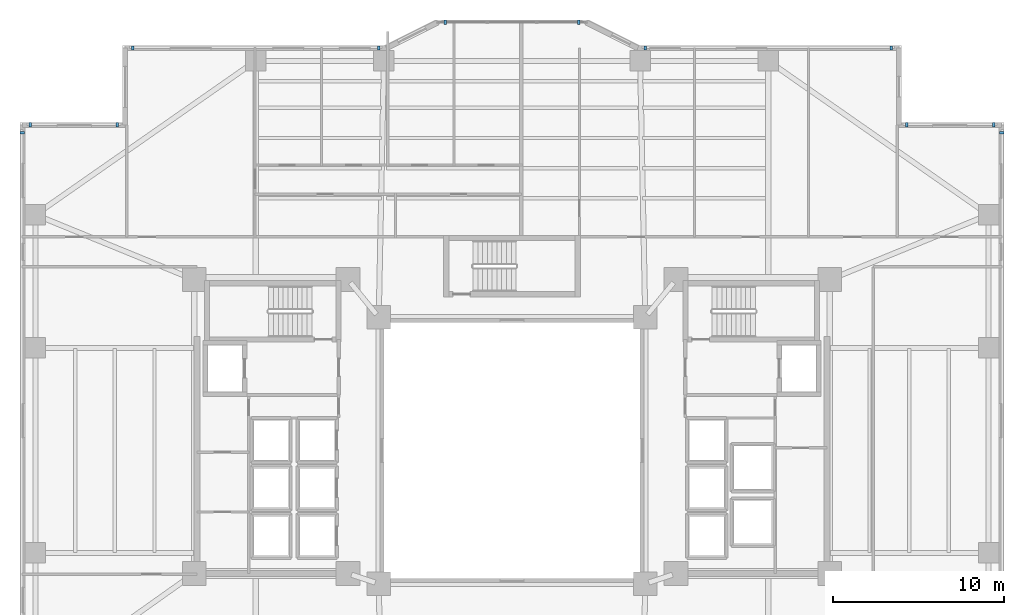
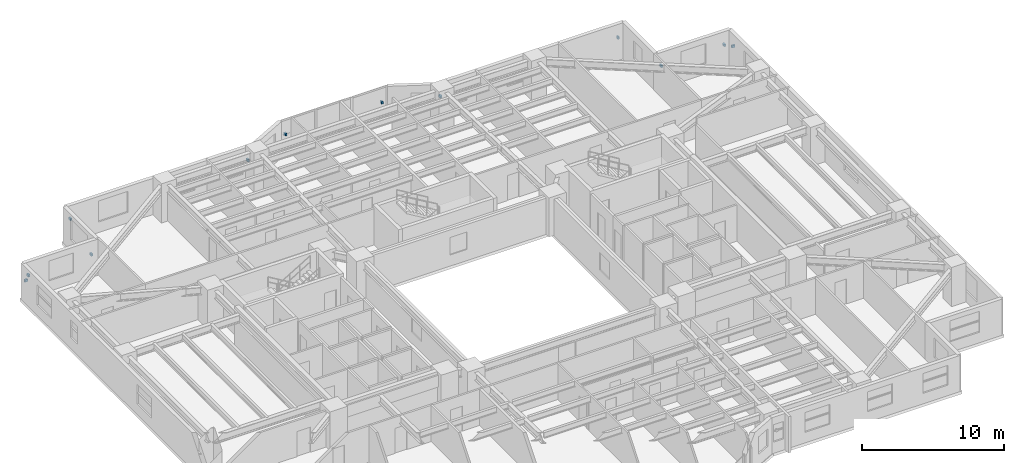
# One storey, part 16 of 19: 12 discrete accessories.
"""IFC4 building model written with IfcOpenShell, lengths in metres."""

from ifc_helpers import new_model, si_unit, direction, frame, origin, origin_2d, place, context, subcontext, project, spatial, rectangle, extrude, material, type_object, element, save


model = new_model("IFC4")

# Units and contexts
model_context = context("Model", 3, precision=1e-05, world=origin(), true_north=direction((0.0, 1.0)))
body_context = subcontext(model_context, "Body", "Model", "MODEL_VIEW")
ifc_project = project(units=[si_unit("LENGTHUNIT", "METRE"), si_unit("AREAUNIT", "SQUARE_METRE"), si_unit("VOLUMEUNIT", "CUBIC_METRE"), si_unit("PLANEANGLEUNIT", "RADIAN"), si_unit("MASSUNIT", "GRAM", prefix="KILO")], contexts=[model_context])

# Site, building, storey
site_placement = place(None, origin())
site = spatial("IfcSite", under=ifc_project, at=site_placement, CompositionType="ELEMENT")
building_placement = place(site_placement, origin())
building = spatial("IfcBuilding", under=site, at=building_placement, Name="Tarnavaz Court Tower", CompositionType="ELEMENT")
storey_placement = place(building_placement, frame((0.0, 0.0, 54.14990234375)))
storey = spatial("IfcBuildingStorey", under=building, at=storey_placement, Name="L14", CompositionType="ELEMENT", Elevation=54.14990234375)

# Discrete accessories
ifc_material = material(Name="Anodised Aluminium 6063-T6", Category="aluminium")
discrete_accessory_type = type_object("IfcDiscreteAccessoryType", Name="DA-BRKT-ALU", PredefinedType="BRACKET", material=ifc_material)
for number, where, z_axis, x_axis, name in (
    (1, (-28.669921875, 18.60009765625, 1.75), (0.0, 0.0, 1.0), (0.0, 1.0, 0.0), "L14 Baguette Outrigger Bracket FBG02-2"),
    (2, (-28.199951171875, 19.070068359375, 1.75), (0.0, 0.0, 1.0), (1.0, 0.0, 0.0), "L14 Baguette Outrigger Bracket FBG03-1"),
    (3, (-23.10009765625, 19.070068359375, 1.75), (0.0, 0.0, 1.0), (1.0, 0.0, 0.0), "L14 Baguette Outrigger Bracket FBG03-2"),
    (4, (-22.199951171875, 23.570068359375, 1.75), (0.0, 0.0, 1.0), (1.0, 0.0, 0.0), "L14 Baguette Outrigger Bracket FBG05-1"),
    (5, (-7.800048828125, 23.570068359375, 1.75), (0.0, 0.0, 1.0), (1.0, 0.0, 0.0), "L14 Baguette Outrigger Bracket FBG05-2"),
    (6, (-3.89990234375, 25.070068359375, 1.7001953125), (0.0, 0.0, 1.0), (1.0, 0.0, 0.0), "L14 Baguette Outrigger Bracket PBG7-1"),
    (7, (3.89990234375, 25.070068359375, 1.7001953125), (0.0, 0.0, 1.0), (1.0, 0.0, 0.0), "L14 Baguette Outrigger Bracket PBG7-2"),
    (8, (7.800048828125, 23.570068359375, 1.75), (0.0, 0.0, 1.0), (1.0, 0.0, 0.0), "L14 Baguette Outrigger Bracket FBG09-1"),
    (9, (22.199951171875, 23.570068359375, 1.75), (0.0, 0.0, 1.0), (1.0, 0.0, 0.0), "L14 Baguette Outrigger Bracket FBG09-2"),
    (10, (23.10009765625, 19.070068359375, 1.75), (0.0, 0.0, 1.0), (1.0, 0.0, 0.0), "L14 Baguette Outrigger Bracket FBG11-1"),
    (11, (28.199951171875, 19.070068359375, 1.75), (0.0, 0.0, 1.0), (1.0, 0.0, 0.0), "L14 Baguette Outrigger Bracket FBG11-2"),
    (12, (28.669921875, 18.60009765625, 1.75), (0.0, 0.0, 1.0), (0.0, -1.0, 0.0), "L14 Baguette Outrigger Bracket FBG12-1"),
):
    element("IfcDiscreteAccessory", number, at=place(storey_placement, frame(where, z_axis=z_axis, x_axis=x_axis)), inside=storey, type_object=discrete_accessory_type, Name=name, PredefinedType="BRACKET", context=body_context, shape_type="SweptSolid", body=[
        extrude(rectangle(XDim=0.139892578125, YDim=0.239990234375, at=origin_2d()), origin(), (0.0, 0.0, 1.0), 0.199951171875),
    ])

save(model, "model.ifc")
